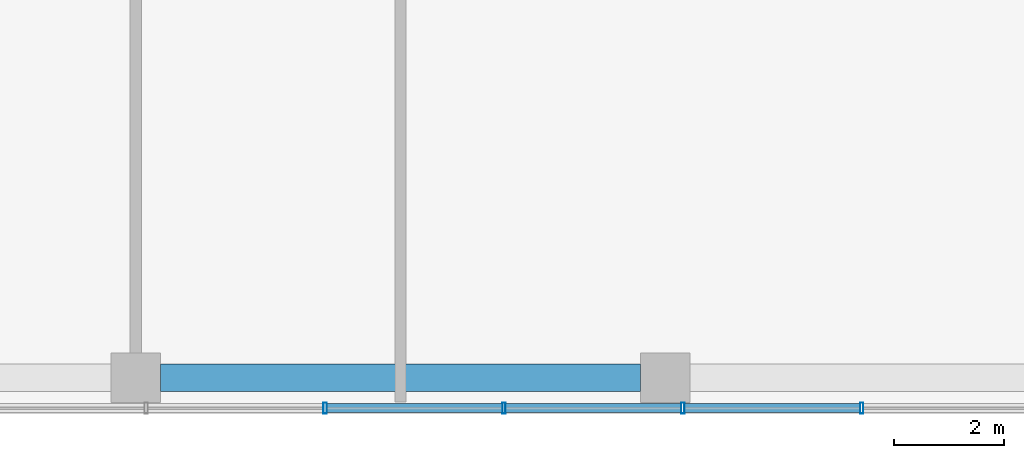
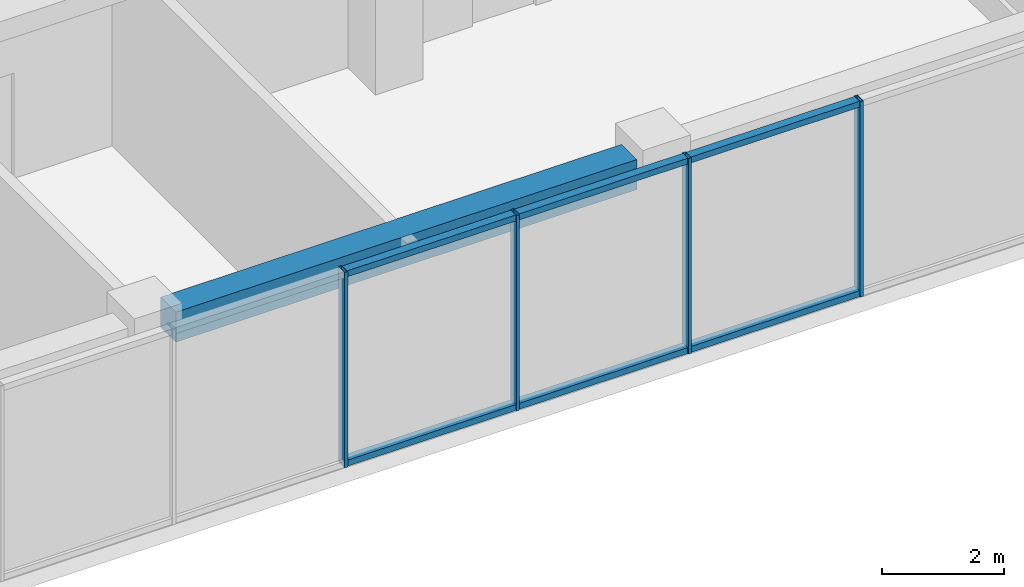
# One storey, part 11 of 36: 10 members, 1 beam, 1 element without a shape of its own.
"""IFC4 building model written with IfcOpenShell, lengths in metres."""

from ifc_helpers import new_model, si_unit, direction, frame, origin, origin_2d, place, context, subcontext, project, spatial, rectangle, hollow_rectangle, extrude, material, layer, layer_set, material_profile, profile_set, type_object, element, aggregate, save


model = new_model("IFC4")

# Units and contexts
model_context = context("Model", 3, precision=1e-05, world=origin(), true_north=direction((0.0, 1.0)))
body_context = subcontext(model_context, "Body", "Model", "MODEL_VIEW")
ifc_project = project(units=[si_unit("LENGTHUNIT", "METRE"), si_unit("AREAUNIT", "SQUARE_METRE"), si_unit("VOLUMEUNIT", "CUBIC_METRE"), si_unit("PLANEANGLEUNIT", "RADIAN"), si_unit("MASSUNIT", "GRAM", prefix="KILO")], contexts=[model_context])

# Site, building, storey
site_placement = place(None, origin())
site = spatial("IfcSite", under=ifc_project, at=site_placement, CompositionType="ELEMENT")
building_placement = place(site_placement, origin())
building = spatial("IfcBuilding", under=site, at=building_placement, Name="Nzadi Deep Aquarium and Research Tower", CompositionType="ELEMENT")
storey_placement = place(building_placement, frame((0.0, 0.0, 40.300048828125)))
storey = spatial("IfcBuildingStorey", under=building, at=storey_placement, Name="L07", CompositionType="ELEMENT", Elevation=40.300048828125)

# Curtain wall, members
ifc_material_1 = material(Name="Aluminium unitised frame", Category="aluminium")
ifc_layer = layer(ifc_material_1, 0.199951171875)
ifc_layer_set = layer_set([ifc_layer], Name="Aluminium unitised frame")
curtain_wall_type = type_object("IfcCurtainWallType", Name="Curtain wall Unitised 200", PredefinedType="NOTDEFINED", material=ifc_layer_set)
curtain_wall_placement = place(storey_placement, origin())
curtain_wall = element("IfcCurtainWall", 1, at=curtain_wall_placement, inside=storey, type_object=curtain_wall_type, Name="Unitised curtain wall blade A south L07", PredefinedType="NOTDEFINED")
ifc_material_2 = material(Name="Aluminium unitised frame", Category="aluminium")
ifc_material_profile_1 = material_profile(ifc_material_2, hollow_rectangle(XDim=0.199951171875, YDim=0.06005859375, WallThickness=0.0048828125, at=origin_2d()))
ifc_profile_set_1 = profile_set([ifc_material_profile_1], Name="Aluminium unitised frame")
member_type_1 = type_object("IfcMemberType", Name="Mullion 60x200 Unitised", PredefinedType="MULLION", material=ifc_profile_set_1)
member_1_placement = place(storey_placement, frame((32.2333984375, -0.10009765625, 0.0), z_axis=(0.0, 0.0, 1.0), x_axis=(0.0, 1.0, 0.0)))
member_1 = element("IfcMember", 2, at=member_1_placement, type_object=member_type_1, Name="CW015 mullion 11", PredefinedType="MULLION", context=body_context, shape_type="SweptSolid", body=[
    extrude(hollow_rectangle(XDim=0.199951171875, YDim=0.06005859375, WallThickness=0.0048828125, at=origin_2d()), origin(), (0.0, 0.0, 1.0), 3.89990234375),
])
member_2_placement = place(storey_placement, frame((35.4765625, -0.10009765625, 0.0), z_axis=(0.0, 0.0, 1.0), x_axis=(0.0, 1.0, 0.0)))
member_2 = element("IfcMember", 3, at=member_2_placement, type_object=member_type_1, Name="CW015 mullion 12", PredefinedType="MULLION", context=body_context, shape_type="SweptSolid", body=[
    extrude(hollow_rectangle(XDim=0.199951171875, YDim=0.06005859375, WallThickness=0.0048828125, at=origin_2d()), origin(), (0.0, 0.0, 1.0), 3.89990234375),
])
member_3_placement = place(storey_placement, frame((38.719970703125, -0.10009765625, 0.0), z_axis=(0.0, 0.0, 1.0), x_axis=(0.0, 1.0, 0.0)))
member_3 = element("IfcMember", 4, at=member_3_placement, type_object=member_type_1, Name="CW015 mullion 13", PredefinedType="MULLION", context=body_context, shape_type="SweptSolid", body=[
    extrude(hollow_rectangle(XDim=0.199951171875, YDim=0.06005859375, WallThickness=0.0048828125, at=origin_2d()), origin(), (0.0, 0.0, 1.0), 3.89990234375),
])
member_4_placement = place(storey_placement, frame((41.96337890625, -0.10009765625, 0.0), z_axis=(0.0, 0.0, 1.0), x_axis=(0.0, 1.0, 0.0)))
member_4 = element("IfcMember", 5, at=member_4_placement, type_object=member_type_1, Name="CW015 mullion 14", PredefinedType="MULLION", context=body_context, shape_type="SweptSolid", body=[
    extrude(hollow_rectangle(XDim=0.199951171875, YDim=0.06005859375, WallThickness=0.0048828125, at=origin_2d()), origin(), (0.0, 0.0, 1.0), 3.89990234375),
])

# Beam
ifc_material_3 = material(Name="Concrete C35/45", Category="concrete")
ifc_material_profile_2 = material_profile(ifc_material_3, rectangle(XDim=0.5, YDim=0.60009765625, at=origin_2d()))
ifc_profile_set_2 = profile_set([ifc_material_profile_2], Name="Concrete C35/45")
beam_type = type_object("IfcBeamType", Name="RC 500x600", PredefinedType="BEAM", material=ifc_profile_set_2)
beam_placement = place(storey_placement, frame((29.25, 0.449951171875, 3.599853515625), z_axis=(1.0, 0.0, 0.0), x_axis=(0.0, 1.0, 0.0)))
element("IfcBeam", 6, at=beam_placement, inside=storey, type_object=beam_type, Name="B-Z1-L07-L1-4", PredefinedType="BEAM", context=body_context, shape_type="SweptSolid", body=[
    extrude(rectangle(XDim=0.5, YDim=0.60009765625, at=origin_2d()), origin(), (0.0, 0.0, 1.0), 8.699951171875),
])

# Member
ifc_material_4 = material(Name="Aluminium unitised frame", Category="aluminium")
ifc_material_profile_3 = material_profile(ifc_material_4, hollow_rectangle(XDim=0.159912109375, YDim=0.1201171875, WallThickness=0.0048828125, at=origin_2d()))
ifc_profile_set_3 = profile_set([ifc_material_profile_3], Name="Aluminium unitised frame")
member_type_2 = type_object("IfcMemberType", Name="Transom 120x160 Unitised", PredefinedType="MULLION", material=ifc_profile_set_3)
member_5_placement = place(storey_placement, frame((32.263427734375, -0.10009765625, 0.06005859375), z_axis=(1.0, 0.0, 0.0), x_axis=(0.0, 1.0, 0.0)))
member_5 = element("IfcMember", 7, at=member_5_placement, type_object=member_type_2, Name="CW015 transom 11.1", PredefinedType="MULLION", context=body_context, shape_type="SweptSolid", body=[
    extrude(hollow_rectangle(XDim=0.159912109375, YDim=0.1201171875, WallThickness=0.0048828125, at=origin_2d()), origin(), (0.0, 0.0, 1.0), 3.183349609375),
])

member_6_placement = place(storey_placement, frame((32.263427734375, -0.10009765625, 3.83984375), z_axis=(1.0, 0.0, 0.0), x_axis=(0.0, 1.0, 0.0)))
member_6 = element("IfcMember", 8, at=member_6_placement, type_object=member_type_2, Name="CW015 transom 11.2", PredefinedType="MULLION", context=body_context, shape_type="SweptSolid", body=[
    extrude(hollow_rectangle(XDim=0.159912109375, YDim=0.1201171875, WallThickness=0.0048828125, at=origin_2d()), origin(), (0.0, 0.0, 1.0), 3.183349609375),
])

member_7_placement = place(storey_placement, frame((35.506591796875, -0.10009765625, 0.06005859375), z_axis=(1.0, 0.0, 0.0), x_axis=(0.0, 1.0, 0.0)))
member_7 = element("IfcMember", 9, at=member_7_placement, type_object=member_type_2, Name="CW015 transom 12.1", PredefinedType="MULLION", context=body_context, shape_type="SweptSolid", body=[
    extrude(hollow_rectangle(XDim=0.159912109375, YDim=0.1201171875, WallThickness=0.0048828125, at=origin_2d()), origin(), (0.0, 0.0, 1.0), 3.183349609375),
])

member_8_placement = place(storey_placement, frame((35.506591796875, -0.10009765625, 3.83984375), z_axis=(1.0, 0.0, 0.0), x_axis=(0.0, 1.0, 0.0)))
member_8 = element("IfcMember", 10, at=member_8_placement, type_object=member_type_2, Name="CW015 transom 12.2", PredefinedType="MULLION", context=body_context, shape_type="SweptSolid", body=[
    extrude(hollow_rectangle(XDim=0.159912109375, YDim=0.1201171875, WallThickness=0.0048828125, at=origin_2d()), origin(), (0.0, 0.0, 1.0), 3.183349609375),
])

member_9_placement = place(storey_placement, frame((38.75, -0.10009765625, 0.06005859375), z_axis=(1.0, 0.0, 0.0), x_axis=(0.0, 1.0, 0.0)))
member_9 = element("IfcMember", 11, at=member_9_placement, type_object=member_type_2, Name="CW015 transom 13.1", PredefinedType="MULLION", context=body_context, shape_type="SweptSolid", body=[
    extrude(hollow_rectangle(XDim=0.159912109375, YDim=0.1201171875, WallThickness=0.0048828125, at=origin_2d()), origin(), (0.0, 0.0, 1.0), 3.183349609375),
])

member_10_placement = place(storey_placement, frame((38.75, -0.10009765625, 3.83984375), z_axis=(1.0, 0.0, 0.0), x_axis=(0.0, 1.0, 0.0)))
member_10 = element("IfcMember", 12, at=member_10_placement, type_object=member_type_2, Name="CW015 transom 13.2", PredefinedType="MULLION", context=body_context, shape_type="SweptSolid", body=[
    extrude(hollow_rectangle(XDim=0.159912109375, YDim=0.1201171875, WallThickness=0.0048828125, at=origin_2d()), origin(), (0.0, 0.0, 1.0), 3.183349609375),
])

aggregate(curtain_wall, [member_1, member_2, member_3, member_4, member_5, member_6, member_7, member_8, member_9, member_10])

save(model, "model.ifc")
